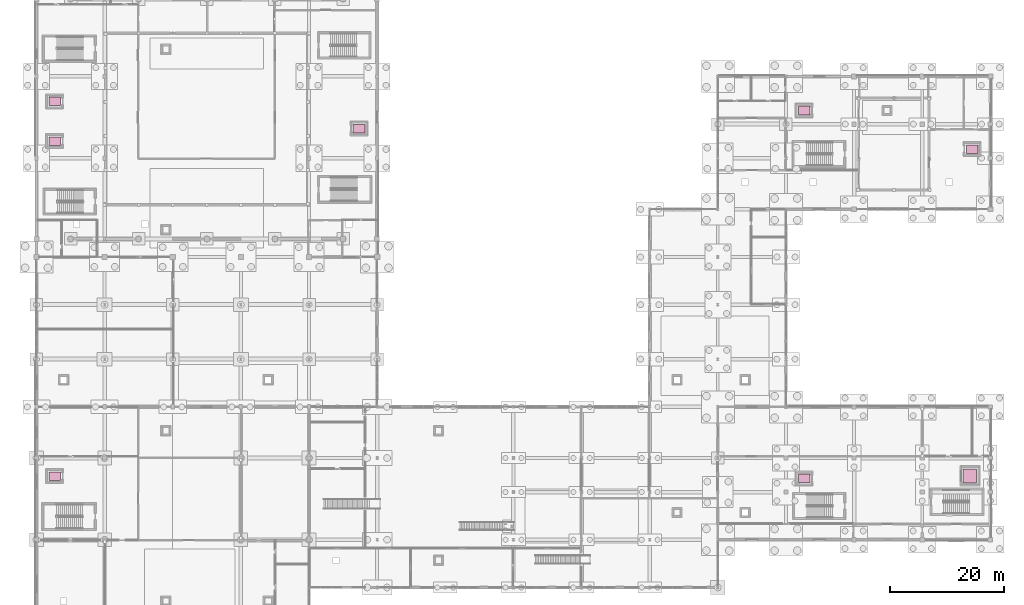
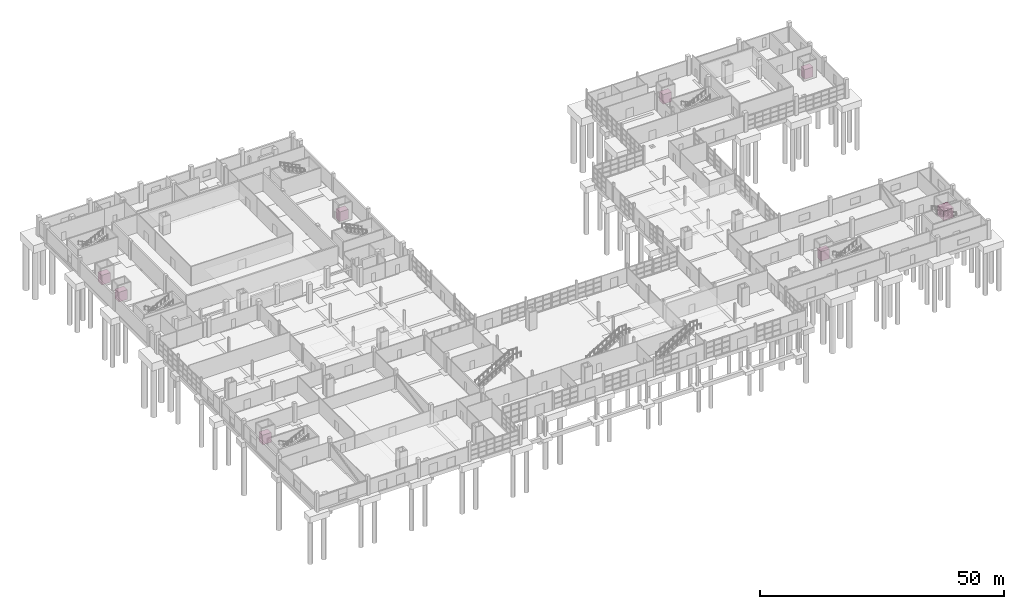
# One storey, part 82 of 82: 8 transport elements.
"""IFC4 building model written with IfcOpenShell, lengths in metres."""

from ifc_helpers import new_model, si_unit, direction, frame, origin, origin_2d, place, context, subcontext, project, spatial, rectangle, extrude, material, type_object, element, save


model = new_model("IFC4")

# Units and contexts
model_context = context("Model", 3, precision=1e-05, world=origin(), true_north=direction((0.0, 1.0)))
body_context = subcontext(model_context, "Body", "Model", "MODEL_VIEW")
ifc_project = project(units=[si_unit("LENGTHUNIT", "METRE"), si_unit("AREAUNIT", "SQUARE_METRE"), si_unit("VOLUMEUNIT", "CUBIC_METRE"), si_unit("PLANEANGLEUNIT", "RADIAN"), si_unit("MASSUNIT", "GRAM", prefix="KILO")], contexts=[model_context])

# Site, building, storey
site_placement = place(None, origin())
site = spatial("IfcSite", under=ifc_project, at=site_placement, CompositionType="ELEMENT")
building_placement = place(site_placement, origin())
building = spatial("IfcBuilding", under=site, at=building_placement, Name="Kelmvaro Bay Concert Hall", CompositionType="ELEMENT")
storey_placement = place(building_placement, origin())
storey = spatial("IfcBuildingStorey", under=building, at=storey_placement, Name="L00", CompositionType="ELEMENT", Elevation=0.0)

# Transport elements
ifc_material_1 = material(Name="Heavy-Duty Stainless Steel 304", Category="steel")
transport_element_type_1 = type_object("IfcTransportElementType", Name="Acoustic Piano Freight Lift Car 2600x3000", PredefinedType="ELEVATOR", material=ifc_material_1)
transport_element_placement = place(storey_placement, frame((164.39990234375, 26.85009765625, 0.0), z_axis=(0.0, 0.0, 1.0), x_axis=(1.0, 0.0, 0.0)))
element("IfcTransportElement", 1, at=transport_element_placement, inside=storey, type_object=transport_element_type_1, Name="Elevator Car LF-08 (4500 kg)", PredefinedType="ELEVATOR", context=body_context, shape_type="SweptSolid", body=[
    extrude(rectangle(XDim=2.39990234375, YDim=2.5, at=origin_2d()), origin(), (0.0, 0.0, 1.0), 2.39990234375),
])
ifc_material_2 = material(Name="Brushed Stainless Steel 316", Category="steel")
transport_element_type_2 = type_object("IfcTransportElementType", Name="Passenger Stretcher Lift Car 2100x1650", PredefinedType="ELEVATOR", material=ifc_material_2)
for number, where, z_axis, x_axis, name in (
    (2, (3.199951171875, 85.800048828125, 0.0), (0.0, 0.0, 1.0), (1.0, 0.0, 0.0), "Elevator Car LF-01 (1800 kg)"),
    (3, (3.199951171875, 92.800048828125, 0.0), (0.0, 0.0, 1.0), (1.0, 0.0, 0.0), "Elevator Car LF-02 (1800 kg)"),
    (4, (56.800048828125, 88.0, 0.0), (0.0, 0.0, 1.0), (1.0, 0.0, 0.0), "Elevator Car LF-03 (1800 kg)"),
    (5, (135.199951171875, 91.199951171875, 0.0), (0.0, 0.0, 1.0), (1.0, 0.0, 0.0), "Elevator Car LF-04 (1800 kg)"),
    (6, (164.800048828125, 84.39990234375, 0.0), (0.0, 0.0, 1.0), (1.0, 0.0, 0.0), "Elevator Car LF-05 (1800 kg)"),
    (7, (3.199951171875, 26.800048828125, 0.0), (0.0, 0.0, 1.0), (1.0, 0.0, 0.0), "Elevator Car LF-06 (1800 kg)"),
    (8, (135.199951171875, 26.39990234375, 0.0), (0.0, 0.0, 1.0), (1.0, 0.0, 0.0), "Elevator Car LF-07 (1800 kg)"),
):
    element("IfcTransportElement", number, at=place(storey_placement, frame(where, z_axis=z_axis, x_axis=x_axis)), inside=storey, type_object=transport_element_type_2, Name=name, PredefinedType="ELEVATOR", context=body_context, shape_type="SweptSolid", body=[
        extrude(rectangle(XDim=2.050048828125, YDim=1.5, at=origin_2d()), origin(), (0.0, 0.0, 1.0), 2.39990234375),
    ])

save(model, "model.ifc")
